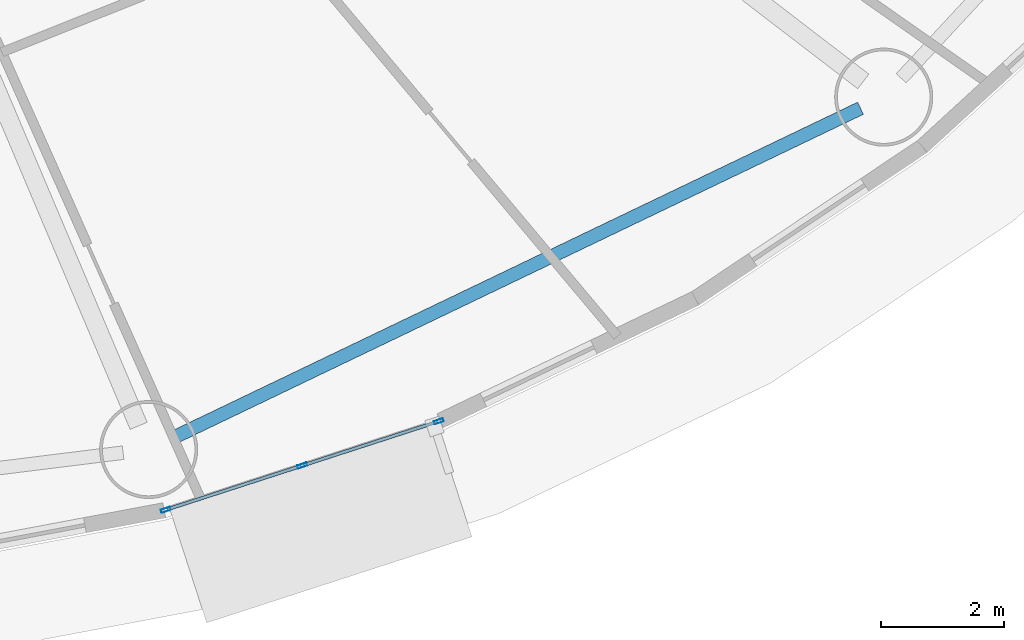
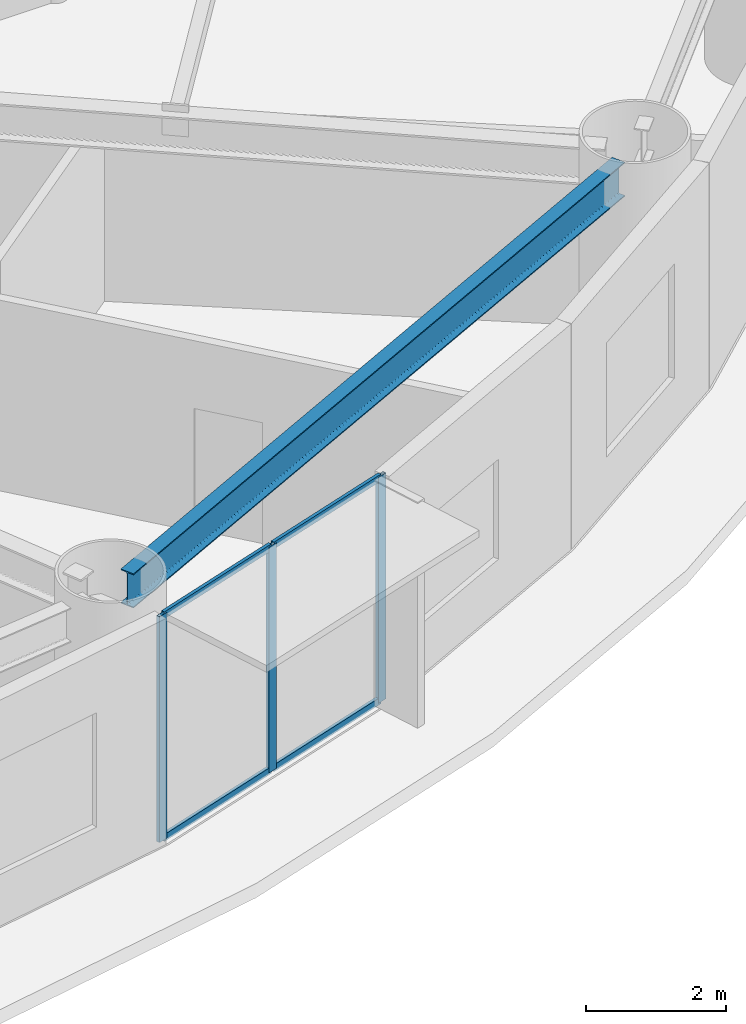
# One storey, part 7 of 35: 7 members, 1 beam, 1 element without a shape of its own.
"""IFC4 building model written with IfcOpenShell, lengths in metres."""

from ifc_helpers import new_model, si_unit, direction, frame, origin, origin_2d, place, context, subcontext, project, spatial, hollow_rectangle, i_section, extrude, source, transform, mapped, material, layer, layer_set, material_profile, profile_set, type_object, element, aggregate, save


model = new_model("IFC4")

# Units and contexts
model_context = context("Model", 3, precision=1e-05, world=origin(), true_north=direction((0.0, 1.0)))
body_context = subcontext(model_context, "Body", "Model", "MODEL_VIEW")
ifc_project = project(units=[si_unit("LENGTHUNIT", "METRE"), si_unit("AREAUNIT", "SQUARE_METRE"), si_unit("VOLUMEUNIT", "CUBIC_METRE"), si_unit("PLANEANGLEUNIT", "RADIAN"), si_unit("MASSUNIT", "GRAM", prefix="KILO")], contexts=[model_context])

# Site, building, storey
site_placement = place(None, origin())
site = spatial("IfcSite", under=ifc_project, at=site_placement, CompositionType="ELEMENT")
building_placement = place(site_placement, origin())
building = spatial("IfcBuilding", under=site, at=building_placement, Name="Linh Dai School and Residence Tower", CompositionType="ELEMENT")
storey_placement = place(building_placement, frame((0.0, 0.0, 32.39990234375)))
storey = spatial("IfcBuildingStorey", under=building, at=storey_placement, Name="L07", CompositionType="ELEMENT", Elevation=32.39990234375)

# Beam
ifc_material_1 = material(Name="Structural Steel S355JR", Category="steel")
ifc_material_profile_1 = material_profile(ifc_material_1, i_section(OverallWidth=0.219970703125, OverallDepth=0.60009765625, WebThickness=0.011962890625, FlangeThickness=0.01904296875, FilletRadius=0.02392578125, at=origin_2d()), Name="IPE 600")
ifc_profile_set_1 = profile_set([ifc_material_profile_1], Name="Structural Steel S355JR")
beam_type = type_object("IfcBeamType", Name="BM-RB60", PredefinedType="BEAM", material=ifc_profile_set_1)
beam_placement = place(storey_placement, frame((45.736572265625, 5.061767578125, 3.650146484375), z_axis=(0.901728693485, 0.432302398034, 0.0), x_axis=(-0.432302398034, 0.901728693485, 0.0)))
element("IfcBeam", 1, at=beam_placement, inside=storey, type_object=beam_type, Name="L07 Perimeter Elliptical Ring Beam 14", PredefinedType="BEAM", context=body_context, shape_type="SweptSolid", body=[
    extrude(i_section(OverallWidth=0.219970703125, OverallDepth=0.60009765625, WebThickness=0.011962890625, FlangeThickness=0.01904296875, FilletRadius=0.02392578125, at=origin_2d()), origin(), (0.0, 0.0, 1.0), 12.462158203125),
])

# Curtain wall, members
ifc_material_2 = material(Name="Aluminium Anodised Curtain Wall", Category="aluminium")
ifc_layer = layer(ifc_material_2, 0.159912109375)
ifc_layer_set = layer_set([ifc_layer], Name="Aluminium Anodised Curtain Wall")
curtain_wall_type = type_object("IfcCurtainWallType", Name="CW-SYS-3", PredefinedType="USERDEFINED", material=ifc_layer_set)
curtain_wall_placement = place(storey_placement, origin())
curtain_wall = element("IfcCurtainWall", 2, at=curtain_wall_placement, inside=storey, type_object=curtain_wall_type, Name="L07 CW3 Curtain Wall 33", ObjectType="RIBBON CURTAIN WALL", PredefinedType="USERDEFINED")
ifc_material_3 = material(Name="Aluminium Alloy 6063-T6", Category="aluminium")
ifc_material_profile_2 = material_profile(ifc_material_3, hollow_rectangle(XDim=0.054931640625, YDim=0.159912109375, WallThickness=0.00390625, at=origin_2d()), Name="RHS 160x55x4")
ifc_profile_set_2 = profile_set([ifc_material_profile_2], Name="Aluminium Alloy 6063-T6")
member_type_1 = type_object("IfcMemberType", Name="CW-SYS-3-MUL", PredefinedType="MULLION", material=ifc_profile_set_2)
shared_shape_1 = source(origin(), body_context, "Body", "SweptSolid", [
    extrude(hollow_rectangle(XDim=0.054931640625, YDim=0.159912109375, WallThickness=0.00390625, at=origin_2d()), origin(), (0.0, 0.0, 1.0), 3.9501953125),
])
member_1_placement = place(storey_placement, frame((50.092041015625, 5.34033203125, 0.0), z_axis=(0.0, 0.0, 1.0), x_axis=(0.308510993844, -0.951220777043, 0.0)))
member_1 = element("IfcMember", 3, at=member_1_placement, type_object=member_type_1, Name="CW3 mullion 1", PredefinedType="MULLION", context=body_context, shape_type="MappedRepresentation", body=[
    mapped(shared_shape_1, transform((0.0, 0.0, 0.0), x_axis=(1.0, 0.0, 0.0), y_axis=(0.0, 1.0, 0.0), z_axis=(0.0, 0.0, 1.0), scale=1.0)),
])
member_2_placement = place(storey_placement, frame((47.8642578125, 4.617919921875, 0.0), z_axis=(0.0, 0.0, 1.0), x_axis=(0.308510993844, -0.951220777043, 0.0)))
member_2 = element("IfcMember", 4, at=member_2_placement, type_object=member_type_1, Name="CW3 mullion 2", PredefinedType="MULLION", context=body_context, shape_type="MappedRepresentation", body=[
    mapped(shared_shape_1, transform((0.0, 0.0, 0.0), x_axis=(1.0, 0.0, 0.0), y_axis=(0.0, 1.0, 0.0), z_axis=(0.0, 0.0, 1.0), scale=1.0)),
])
member_3_placement = place(storey_placement, frame((45.63671875, 3.895263671875, 0.0), z_axis=(0.0, 0.0, 1.0), x_axis=(0.308510993844, -0.951220777043, 0.0)))
member_3 = element("IfcMember", 5, at=member_3_placement, type_object=member_type_1, Name="CW3 mullion 3", PredefinedType="MULLION", context=body_context, shape_type="MappedRepresentation", body=[
    mapped(shared_shape_1, transform((0.0, 0.0, 0.0), x_axis=(1.0, 0.0, 0.0), y_axis=(0.0, 1.0, 0.0), z_axis=(0.0, 0.0, 1.0), scale=1.0)),
])
ifc_material_profile_3 = material_profile(ifc_material_3, hollow_rectangle(XDim=0.054931640625, YDim=0.1201171875, WallThickness=0.00390625, at=origin_2d()), Name="RHS 120x55x4")
ifc_profile_set_3 = profile_set([ifc_material_profile_3], Name="Aluminium Alloy 6063-T6")
member_type_2 = type_object("IfcMemberType", Name="CW-SYS-3-TRN", PredefinedType="USERDEFINED", material=ifc_profile_set_3)
shared_shape_2 = source(origin(), body_context, "Body", "SweptSolid", [
    extrude(hollow_rectangle(XDim=0.054931640625, YDim=0.1201171875, WallThickness=0.00390625, at=origin_2d()), origin(), (0.0, 0.0, 1.0), 2.286865234375),
])
member_4_placement = place(storey_placement, frame((50.06591796875, 5.331787109375, 0.027587890625), z_axis=(-0.951214351328, -0.308530805313, 0.0), x_axis=(0.308530805313, -0.951214351328, 0.0)))
member_4 = element("IfcMember", 6, at=member_4_placement, type_object=member_type_2, Name="CW3 transom 1.1", ObjectType="TRANSOM", PredefinedType="USERDEFINED", context=body_context, shape_type="MappedRepresentation", body=[
    mapped(shared_shape_2, transform((0.0, 0.0, 0.0), x_axis=(1.0, 0.0, 0.0), y_axis=(0.0, 1.0, 0.0), z_axis=(0.0, 0.0, 1.0), scale=1.0)),
])
member_5_placement = place(storey_placement, frame((50.06591796875, 5.331787109375, 3.922607421875), z_axis=(-0.951214351328, -0.308530805313, 0.0), x_axis=(0.308530805313, -0.951214351328, 0.0)))
member_5 = element("IfcMember", 7, at=member_5_placement, type_object=member_type_2, Name="CW3 transom 1.2", ObjectType="TRANSOM", PredefinedType="USERDEFINED", context=body_context, shape_type="MappedRepresentation", body=[
    mapped(shared_shape_2, transform((0.0, 0.0, 0.0), x_axis=(1.0, 0.0, 0.0), y_axis=(0.0, 1.0, 0.0), z_axis=(0.0, 0.0, 1.0), scale=1.0)),
])
member_6_placement = place(storey_placement, frame((47.838134765625, 4.609375, 0.027587890625), z_axis=(-0.951214351328, -0.308530805313, 0.0), x_axis=(0.308530805313, -0.951214351328, 0.0)))
member_6 = element("IfcMember", 8, at=member_6_placement, type_object=member_type_2, Name="CW3 transom 2.1", ObjectType="TRANSOM", PredefinedType="USERDEFINED", context=body_context, shape_type="MappedRepresentation", body=[
    mapped(shared_shape_2, transform((0.0, 0.0, 0.0), x_axis=(1.0, 0.0, 0.0), y_axis=(0.0, 1.0, 0.0), z_axis=(0.0, 0.0, 1.0), scale=1.0)),
])
member_7_placement = place(storey_placement, frame((47.838134765625, 4.609375, 3.922607421875), z_axis=(-0.951214351328, -0.308530805313, 0.0), x_axis=(0.308530805313, -0.951214351328, 0.0)))
member_7 = element("IfcMember", 9, at=member_7_placement, type_object=member_type_2, Name="CW3 transom 2.2", ObjectType="TRANSOM", PredefinedType="USERDEFINED", context=body_context, shape_type="MappedRepresentation", body=[
    mapped(shared_shape_2, transform((0.0, 0.0, 0.0), x_axis=(1.0, 0.0, 0.0), y_axis=(0.0, 1.0, 0.0), z_axis=(0.0, 0.0, 1.0), scale=1.0)),
])
aggregate(curtain_wall, [member_1, member_2, member_3, member_4, member_5, member_6, member_7])

save(model, "model.ifc")
